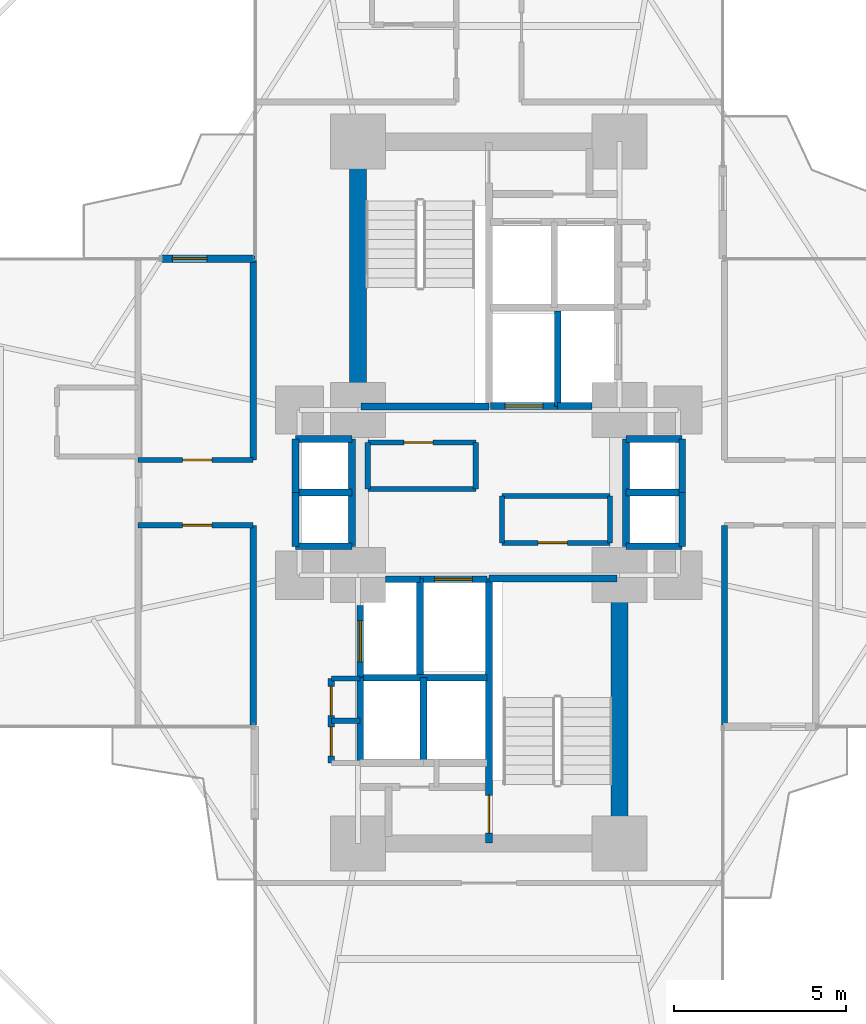
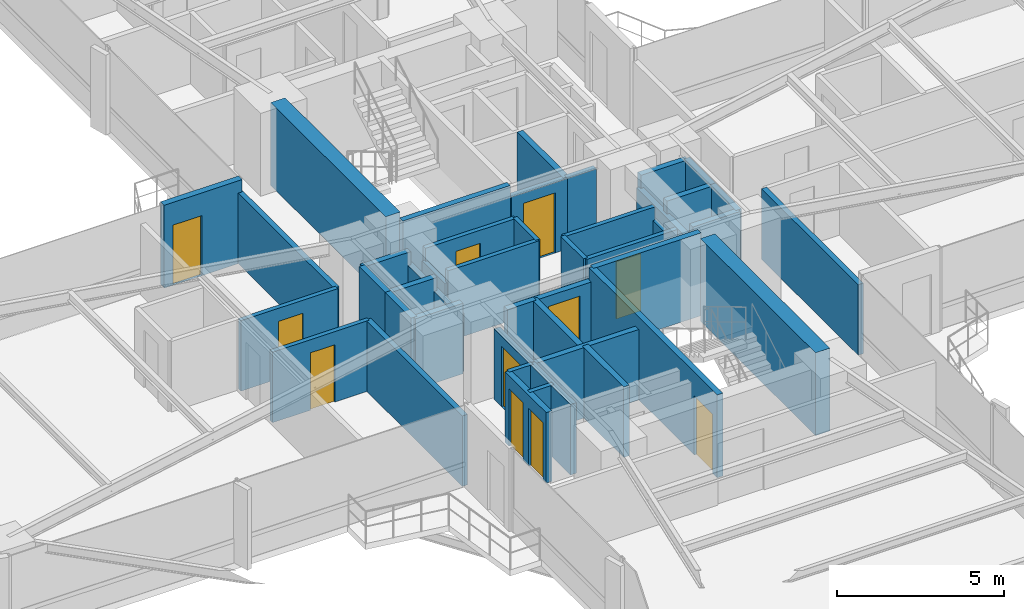
# One storey, part 22 of 25: 44 walls, 11 doors, 11 openings.
"""IFC4 building model written with IfcOpenShell, lengths in metres."""

from ifc_helpers import new_model, si_unit, direction, frame, frame_2d, origin, origin_2d, place, context, subcontext, project, spatial, rectangle, extrude, source, transform, mapped, material, layer, layer_set, type_object, element, fill, save


model = new_model("IFC4")

# Units and contexts
model_context = context("Model", 3, precision=1e-05, world=origin(), true_north=direction((0.0, 1.0)))
body_context = subcontext(model_context, "Body", "Model", "MODEL_VIEW")
ifc_project = project(units=[si_unit("LENGTHUNIT", "METRE"), si_unit("AREAUNIT", "SQUARE_METRE"), si_unit("VOLUMEUNIT", "CUBIC_METRE"), si_unit("PLANEANGLEUNIT", "RADIAN"), si_unit("MASSUNIT", "GRAM", prefix="KILO")], contexts=[model_context])

# Site, building, storey
site_placement = place(None, origin())
site = spatial("IfcSite", under=ifc_project, at=site_placement, CompositionType="ELEMENT")
building_placement = place(site_placement, origin())
building = spatial("IfcBuilding", under=site, at=building_placement, Name="Sahyath Konkavel Grand Hotel", CompositionType="ELEMENT")
storey_placement = place(building_placement, frame((0.0, 0.0, 71.14990234375)))
storey = spatial("IfcBuildingStorey", under=building, at=storey_placement, Name="L19", CompositionType="ELEMENT", Elevation=71.14990234375)

# Walls
ifc_material_1 = material(Name="Concrete C70/85", Category="concrete")
ifc_layer_1 = layer(ifc_material_1, 0.5)
ifc_layer_set_1 = layer_set([ifc_layer_1], Name="Concrete C70/85")
wall_type_1 = type_object("IfcWallType", Name="CWALL-500", PredefinedType="SHEAR", material=ifc_layer_set_1)
for number, where, z_axis, x_axis, name in (
    (1, (-3.800048828125, 2.85009765625, 0.0), (0.0, 0.0, 1.0), (0.0, 1.0, 0.0), "L19 North Core Shear Wall W"),
    (2, (3.800048828125, -9.75, 0.0), (0.0, 0.0, 1.0), (0.0, 1.0, 0.0), "L19 South Core Shear Wall E"),
):
    element("IfcWall", number, at=place(storey_placement, frame(where, z_axis=z_axis, x_axis=x_axis)), inside=storey, type_object=wall_type_1, Name=name, PredefinedType="SHEAR", context=body_context, shape_type="SweptSolid", body=[
        extrude(rectangle(XDim=6.89990234375, YDim=0.5, at=frame_2d((3.449951171875, 0.0))), origin(), (0.0, 0.0, 1.0), 3.030029296875),
    ])

# Wall, opening, door
ifc_material_2 = material(Name="Warm Buff Sandstone Insulated Concrete C40/50", Category="masonry")
ifc_layer_2 = layer(ifc_material_2, 0.219970703125)
ifc_layer_set_2 = layer_set([ifc_layer_2], Name="Warm Buff Sandstone Insulated Concrete C40/50")
wall_type_2 = type_object("IfcWallType", Name="WLL-BALC-THRESH", PredefinedType="STANDARD", material=ifc_layer_set_2)
wall_1_placement = place(storey_placement, frame((-6.800048828125, 6.800048828125, 0.0), z_axis=(0.0, 0.0, 1.0), x_axis=(-1.0, 0.0, 0.0)))
wall_1 = element("IfcWall", 3, at=wall_1_placement, inside=storey, type_object=wall_type_2, Name="L19 Winter-Garden Threshold Wall 16", PredefinedType="STANDARD", context=body_context, shape_type="SweptSolid", body=[
    extrude(rectangle(XDim=2.699951171875, YDim=0.219970703125, at=frame_2d((1.35009765625, 0.0))), origin(), (0.0, 0.0, 1.0), 3.030029296875),
])
opening_1_placement = place(wall_1_placement, frame((1.39990234375, 0.0, 0.0)))
opening_1 = element("IfcOpeningElement", 4, at=opening_1_placement, cuts=wall_1, Name="Opening D-TR1", PredefinedType="OPENING", context=body_context, shape_type="SweptSolid", body=[
    extrude(rectangle(XDim=1.0, YDim=2.199951171875, at=frame_2d((0.5, 1.10009765625))), frame((0.0, 0.1201171875, 0.0), z_axis=(0.0, -1.0, 0.0), x_axis=(1.0, 0.0, 0.0)), (0.0, 0.0, 1.0), 0.239990234375),
])
ifc_material_3 = material(Name="Anodised Bronze Aluminium & Low-E Glazing", Category="aluminium")
door_type_1 = type_object("IfcDoorType", Name="DR-TERRACE-1000", OperationType="NOTDEFINED", PredefinedType="DOOR", material=ifc_material_3)
shared_shape_1 = source(origin(), body_context, "Body", "SweptSolid", [
    extrude(rectangle(XDim=1.0, YDim=0.050048828125, at=origin_2d()), origin(), (0.0, 0.0, 1.0), 2.199951171875),
])
door_1_placement = place(opening_1_placement, frame((0.5, 0.0, 0.0)))
door_1 = element("IfcDoor", 5, at=door_1_placement, inside=storey, type_object=door_type_1, Name="L19 Winter-Garden Terrace Door 16", OperationType="SINGLE_SWING_LEFT", OverallHeight=2.199951171875, OverallWidth=1.0, PredefinedType="DOOR", context=body_context, shape_type="MappedRepresentation", body=[
    mapped(shared_shape_1, transform((0.0, 0.0, 0.0), scale=1.0)),
])
fill(opening_1, door_1)

# Wall
ifc_material_4 = material(Name="Concrete C40/50", Category="concrete")
ifc_layer_3 = layer(ifc_material_4, 0.199951171875)
ifc_layer_set_3 = layer_set([ifc_layer_3], Name="Concrete C40/50")
wall_type_3 = type_object("IfcWallType", Name="WLL-CORE-200", PredefinedType="SOLIDWALL", material=ifc_layer_set_3)
wall_2_placement = place(storey_placement, frame((-3.719970703125, 2.5, 0.0), z_axis=(0.0, 0.0, 1.0), x_axis=(1.0, 0.0, 0.0)))
element("IfcWall", 6, at=wall_2_placement, inside=storey, type_object=wall_type_3, Name="L19 Stair ST-1 Shaft Wall S", PredefinedType="SOLIDWALL", context=body_context, shape_type="SweptSolid", body=[
    extrude(rectangle(XDim=3.719970703125, YDim=0.199951171875, at=frame_2d((1.85986328125, 0.0))), origin(), (0.0, 0.0, 1.0), 3.030029296875),
])

# Wall, opening, door
wall_3_placement = place(storey_placement, frame((0.0, -10.179931640625, 0.0), z_axis=(0.0, 0.0, 1.0), x_axis=(0.0, 1.0, 0.0)))
wall_3 = element("IfcWall", 7, at=wall_3_placement, inside=storey, type_object=wall_type_3, Name="L19 Stair ST-2 Shaft Wall W", PredefinedType="SOLIDWALL", context=body_context, shape_type="SweptSolid", body=[
    extrude(rectangle(XDim=7.679931640625, YDim=0.199951171875, at=frame_2d((3.83984375, 0.0))), origin(), (0.0, 0.0, 1.0), 3.030029296875),
])
opening_2_placement = place(wall_3_placement, frame((0.280029296875, 0.0, 0.0)))
opening_2 = element("IfcOpeningElement", 8, at=opening_2_placement, cuts=wall_3, Name="Opening D-F12B", PredefinedType="OPENING", context=body_context, shape_type="SweptSolid", body=[
    extrude(rectangle(XDim=1.10009765625, YDim=2.14990234375, at=frame_2d((0.550048828125, 1.074951171875))), frame((0.0, 0.10986328125, 0.0), z_axis=(0.0, -1.0, 0.0), x_axis=(1.0, 0.0, 0.0)), (0.0, 0.0, 1.0), 0.219970703125),
])
ifc_material_5 = material(Name="Steel E350 Smokeproof Fire Door", Category="steel")
door_type_2 = type_object("IfcDoorType", Name="DR-FD120-1100", OperationType="NOTDEFINED", PredefinedType="DOOR", material=ifc_material_5)
shared_shape_2 = source(origin(), body_context, "Body", "SweptSolid", [
    extrude(rectangle(XDim=1.10009765625, YDim=0.050048828125, at=origin_2d()), origin(), (0.0, 0.0, 1.0), 2.14990234375),
])
door_2_placement = place(opening_2_placement, frame((0.550048828125, 0.0, 0.0)))
door_2 = element("IfcDoor", 9, at=door_2_placement, inside=storey, type_object=door_type_2, Name="L19 Stair ST-2 Fire Door", OperationType="SINGLE_SWING_LEFT", OverallHeight=2.14990234375, OverallWidth=1.10009765625, PredefinedType="DOOR", context=body_context, shape_type="MappedRepresentation", body=[
    mapped(shared_shape_2, transform((0.0, 0.0, 0.0), scale=1.0)),
])
fill(opening_2, door_2)

# Walls
wall_4_placement = place(storey_placement, frame((0.0, -2.5, 0.0), z_axis=(0.0, 0.0, 1.0), x_axis=(1.0, 0.0, 0.0)))
element("IfcWall", 10, at=wall_4_placement, inside=storey, type_object=wall_type_3, Name="L19 Stair ST-2 Shaft Wall N", PredefinedType="SOLIDWALL", context=body_context, shape_type="SweptSolid", body=[
    extrude(rectangle(XDim=3.719970703125, YDim=0.199951171875, at=frame_2d((1.85986328125, 0.0))), origin(), (0.0, 0.0, 1.0), 3.030029296875),
])
wall_5_placement = place(storey_placement, frame((2.0, 2.5, 0.0), z_axis=(0.0, 0.0, 1.0), x_axis=(0.0, 1.0, 0.0)))
element("IfcWall", 11, at=wall_5_placement, inside=storey, type_object=wall_type_3, Name="L19 Partition SH-FFL1-E", PredefinedType="SOLIDWALL", context=body_context, shape_type="SweptSolid", body=[
    extrude(rectangle(XDim=2.780029296875, YDim=0.199951171875, at=frame_2d((1.39013671875, 0.0))), origin(), (0.0, 0.0, 1.0), 2.580078125),
])

# Wall, opening, door
wall_6_placement = place(storey_placement, frame((0.050048828125, 2.52001953125, 0.0), z_axis=(0.0, 0.0, 1.0), x_axis=(1.0, 0.0, 0.0)))
wall_6 = element("IfcWall", 12, at=wall_6_placement, inside=storey, type_object=wall_type_3, Name="L19 Partition SH-FFL1-S", PredefinedType="SOLIDWALL", context=body_context, shape_type="SweptSolid", body=[
    extrude(rectangle(XDim=1.949951171875, YDim=0.199951171875, at=frame_2d((0.97509765625, 0.0))), origin(), (0.0, 0.0, 1.0), 2.580078125),
])
opening_3_placement = place(wall_6_placement, frame((0.419921875, 0.0, 0.0)))
opening_3 = element("IfcOpeningElement", 13, at=opening_3_placement, cuts=wall_6, Name="Opening LD-11", PredefinedType="OPENING", context=body_context, shape_type="SweptSolid", body=[
    extrude(rectangle(XDim=1.10009765625, YDim=2.199951171875, at=frame_2d((0.550048828125, 1.10009765625))), frame((0.0, 0.10986328125, 0.0), z_axis=(0.0, -1.0, 0.0), x_axis=(1.0, 0.0, 0.0)), (0.0, 0.0, 1.0), 0.219970703125),
])
ifc_material_6 = material(Name="Bronze Lift Landing Door 1100")
door_type_3 = type_object("IfcDoorType", Name="DR-LIFT-1100", OperationType="DOUBLE_DOOR_SLIDING", PredefinedType="DOOR", material=ifc_material_6)
shared_shape_3 = source(origin(), body_context, "Body", "SweptSolid", [
    extrude(rectangle(XDim=1.10009765625, YDim=0.050048828125, at=origin_2d()), origin(), (0.0, 0.0, 1.0), 2.199951171875),
])
door_3_placement = place(opening_3_placement, frame((0.550048828125, 0.0, 0.0)))
door_3 = element("IfcDoor", 14, at=door_3_placement, inside=storey, type_object=door_type_3, Name="L19 Lift FFL-1 Landing Door", OperationType="DOUBLE_DOOR_SLIDING", OverallHeight=2.199951171875, OverallWidth=1.10009765625, PredefinedType="DOOR", context=body_context, shape_type="MappedRepresentation", body=[
    mapped(shared_shape_3, transform((0.0, 0.0, 0.0), scale=1.0)),
])
fill(opening_3, door_3)

# Wall
wall_7_placement = place(storey_placement, frame((-2.0, -5.280029296875, 0.0), z_axis=(0.0, 0.0, 1.0), x_axis=(0.0, 1.0, 0.0)))
element("IfcWall", 15, at=wall_7_placement, inside=storey, type_object=wall_type_3, Name="L19 Partition SH-FFL2-W", PredefinedType="SOLIDWALL", context=body_context, shape_type="SweptSolid", body=[
    extrude(rectangle(XDim=2.780029296875, YDim=0.199951171875, at=frame_2d((1.39013671875, 0.0))), origin(), (0.0, 0.0, 1.0), 2.580078125),
])

# Wall, opening, door
wall_8_placement = place(storey_placement, frame((-2.0, -2.52001953125, 0.0), z_axis=(0.0, 0.0, 1.0), x_axis=(1.0, 0.0, 0.0)))
wall_8 = element("IfcWall", 16, at=wall_8_placement, inside=storey, type_object=wall_type_3, Name="L19 Partition SH-FFL2-N", PredefinedType="SOLIDWALL", context=body_context, shape_type="SweptSolid", body=[
    extrude(rectangle(XDim=1.949951171875, YDim=0.199951171875, at=frame_2d((0.97509765625, 0.0))), origin(), (0.0, 0.0, 1.0), 2.580078125),
])
opening_4_placement = place(wall_8_placement, frame((0.419921875, 0.0, 0.0)))
opening_4 = element("IfcOpeningElement", 17, at=opening_4_placement, cuts=wall_8, Name="Opening LD-11", PredefinedType="OPENING", context=body_context, shape_type="SweptSolid", body=[
    extrude(rectangle(XDim=1.10009765625, YDim=2.199951171875, at=frame_2d((0.550048828125, 1.10009765625))), frame((0.0, 0.10986328125, 0.0), z_axis=(0.0, -1.0, 0.0), x_axis=(1.0, 0.0, 0.0)), (0.0, 0.0, 1.0), 0.219970703125),
])
door_4_placement = place(opening_4_placement, frame((0.550048828125, 0.0, 0.0)))
door_4 = element("IfcDoor", 18, at=door_4_placement, inside=storey, type_object=door_type_3, Name="L19 Lift FFL-2 Landing Door", OperationType="DOUBLE_DOOR_SLIDING", OverallHeight=2.199951171875, OverallWidth=1.10009765625, PredefinedType="DOOR", context=body_context, shape_type="MappedRepresentation", body=[
    mapped(shared_shape_3, transform((0.0, 0.0, 0.0), scale=1.0)),
])
fill(opening_4, door_4)

# Walls
for number, where, z_axis, x_axis, name in (
    (19, (2.0, 2.52001953125, 0.0), (0.0, 0.0, 1.0), (1.0, 0.0, 0.0), "L19 Partition SH-SVL1-S"),
    (20, (-3.0, -2.52001953125, 0.0), (0.0, 0.0, 1.0), (1.0, 0.0, 0.0), "L19 Partition SH-SVL2-N"),
):
    element("IfcWall", number, at=place(storey_placement, frame(where, z_axis=z_axis, x_axis=x_axis)), inside=storey, type_object=wall_type_3, Name=name, PredefinedType="SOLIDWALL", context=body_context, shape_type="SweptSolid", body=[
        extrude(rectangle(XDim=1.0, YDim=0.199951171875, at=frame_2d((0.5, 0.0))), origin(), (0.0, 0.0, 1.0), 2.580078125),
    ])

# Wall, opening, door
wall_9_placement = place(storey_placement, frame((-3.739990234375, -5.360107421875, 0.0), z_axis=(0.0, 0.0, 1.0), x_axis=(0.0, 1.0, 0.0)))
wall_9 = element("IfcWall", 21, at=wall_9_placement, inside=storey, type_object=wall_type_3, Name="L19 Partition SH-SVL2-W", PredefinedType="SOLIDWALL", context=body_context, shape_type="SweptSolid", body=[
    extrude(rectangle(XDim=2.080078125, YDim=0.199951171875, at=frame_2d((1.0400390625, 0.0))), origin(), (0.0, 0.0, 1.0), 2.580078125),
])
opening_5_placement = place(wall_9_placement, frame((0.43994140625, 0.0, 0.0)))
opening_5 = element("IfcOpeningElement", 22, at=opening_5_placement, cuts=wall_9, Name="Opening LD-12", PredefinedType="OPENING", context=body_context, shape_type="SweptSolid", body=[
    extrude(rectangle(XDim=1.199951171875, YDim=2.199951171875, at=frame_2d((0.60009765625, 1.10009765625))), frame((0.0, 0.10986328125, 0.0), z_axis=(0.0, -1.0, 0.0), x_axis=(1.0, 0.0, 0.0)), (0.0, 0.0, 1.0), 0.219970703125),
])
ifc_material_7 = material(Name="Stainless Steel Lift Landing Door 1200", Category="steel")
door_type_4 = type_object("IfcDoorType", Name="DR-LIFT-1200", OperationType="DOUBLE_DOOR_SLIDING", PredefinedType="DOOR", material=ifc_material_7)
shared_shape_4 = source(origin(), body_context, "Body", "SweptSolid", [
    extrude(rectangle(XDim=1.199951171875, YDim=0.050048828125, at=origin_2d()), origin(), (0.0, 0.0, 1.0), 2.199951171875),
])
door_5_placement = place(opening_5_placement, frame((0.60009765625, 0.0, 0.0)))
door_5 = element("IfcDoor", 23, at=door_5_placement, inside=storey, type_object=door_type_4, Name="L19 Service Lift SVL-2 Landing Door", OperationType="DOUBLE_DOOR_SLIDING", OverallHeight=2.199951171875, OverallWidth=1.199951171875, PredefinedType="DOOR", context=body_context, shape_type="MappedRepresentation", body=[
    mapped(shared_shape_4, transform((0.0, 0.0, 0.0), scale=1.0)),
])
fill(opening_5, door_5)

# Walls
wall_10_placement = place(storey_placement, frame((-3.739990234375, -7.860107421875, 0.0), z_axis=(0.0, 0.0, 1.0), x_axis=(0.0, 1.0, 0.0)))
element("IfcWall", 24, at=wall_10_placement, inside=storey, type_object=wall_type_3, Name="L19 Partition SH-PL3-W", PredefinedType="SOLIDWALL", context=body_context, shape_type="SweptSolid", body=[
    extrude(rectangle(XDim=2.480224609375, YDim=0.199951171875, at=frame_2d((1.240234375, 0.0))), origin(), (0.0, 0.0, 1.0), 2.580078125),
])
wall_11_placement = place(storey_placement, frame((-3.739990234375, -5.3798828125, 0.0), z_axis=(0.0, 0.0, 1.0), x_axis=(1.0, 0.0, 0.0)))
element("IfcWall", 25, at=wall_11_placement, inside=storey, type_object=wall_type_3, Name="L19 Partition SH-PL34-N", PredefinedType="SOLIDWALL", context=body_context, shape_type="SweptSolid", body=[
    extrude(rectangle(XDim=3.68994140625, YDim=0.199951171875, at=frame_2d((1.844970703125, 0.0))), origin(), (0.0, 0.0, 1.0), 2.580078125),
])
wall_12_placement = place(storey_placement, frame((-1.89990234375, -7.860107421875, 0.0), z_axis=(0.0, 0.0, 1.0), x_axis=(0.0, 1.0, 0.0)))
element("IfcWall", 26, at=wall_12_placement, inside=storey, type_object=wall_type_3, Name="L19 Partition SH-PL34-M", PredefinedType="SOLIDWALL", context=body_context, shape_type="SweptSolid", body=[
    extrude(rectangle(XDim=2.480224609375, YDim=0.199951171875, at=frame_2d((1.240234375, 0.0))), origin(), (0.0, 0.0, 1.0), 2.580078125),
])
wall_13_placement = place(storey_placement, frame((3.97998046875, -1.56005859375, 0.0), z_axis=(0.0, 0.0, 1.0), x_axis=(0.0, 1.0, 0.0)))
element("IfcWall", 27, at=wall_13_placement, inside=storey, type_object=wall_type_3, Name="L19 Partition SH-PL56-W", PredefinedType="SOLIDWALL", context=body_context, shape_type="SweptSolid", body=[
    extrude(rectangle(XDim=3.1201171875, YDim=0.199951171875, at=frame_2d((1.56005859375, 0.0))), origin(), (0.0, 0.0, 1.0), 2.10009765625),
])
for number, where, z_axis, x_axis, name in (
    (28, (3.97998046875, 1.56005859375, 0.0), (0.0, 0.0, 1.0), (1.0, 0.0, 0.0), "L19 Partition SH-PL56-N"),
    (29, (3.97998046875, -1.56005859375, 0.0), (0.0, 0.0, 1.0), (1.0, 0.0, 0.0), "L19 Partition SH-PL56-S"),
    (30, (3.97998046875, 0.0, 0.0), (0.0, 0.0, 1.0), (1.0, 0.0, 0.0), "L19 Partition SH-PL56-M"),
):
    element("IfcWall", number, at=place(storey_placement, frame(where, z_axis=z_axis, x_axis=x_axis)), inside=storey, type_object=wall_type_3, Name=name, PredefinedType="SOLIDWALL", context=body_context, shape_type="SweptSolid", body=[
        extrude(rectangle(XDim=1.64013671875, YDim=0.199951171875, at=frame_2d((0.820068359375, 0.0))), origin(), (0.0, 0.0, 1.0), 2.580078125),
    ])
for number, where, z_axis, x_axis, name in (
    (31, (5.6201171875, 0.0, 0.0), (0.0, 0.0, 1.0), (0.0, 1.0, 0.0), "L19 Partition SH-PL5-E"),
    (32, (5.6201171875, -1.56005859375, 0.0), (0.0, 0.0, 1.0), (0.0, 1.0, 0.0), "L19 Partition SH-PL6-E"),
):
    element("IfcWall", number, at=place(storey_placement, frame(where, z_axis=z_axis, x_axis=x_axis)), inside=storey, type_object=wall_type_3, Name=name, PredefinedType="SOLIDWALL", context=body_context, shape_type="SweptSolid", body=[
        extrude(rectangle(XDim=1.56005859375, YDim=0.199951171875, at=frame_2d((0.780029296875, 0.0))), origin(), (0.0, 0.0, 1.0), 2.580078125),
    ])
wall_14_placement = place(storey_placement, frame((-3.97998046875, -1.56005859375, 0.0), z_axis=(0.0, 0.0, 1.0), x_axis=(0.0, 1.0, 0.0)))
element("IfcWall", 33, at=wall_14_placement, inside=storey, type_object=wall_type_3, Name="L19 Partition SH-SL12-E", PredefinedType="SOLIDWALL", context=body_context, shape_type="SweptSolid", body=[
    extrude(rectangle(XDim=3.1201171875, YDim=0.199951171875, at=frame_2d((1.56005859375, 0.0))), origin(), (0.0, 0.0, 1.0), 2.10009765625),
])
for number, where, z_axis, x_axis, name in (
    (34, (-5.6201171875, 1.56005859375, 0.0), (0.0, 0.0, 1.0), (1.0, 0.0, 0.0), "L19 Partition SH-SL12-N"),
    (35, (-5.6201171875, -1.56005859375, 0.0), (0.0, 0.0, 1.0), (1.0, 0.0, 0.0), "L19 Partition SH-SL12-S"),
    (36, (-5.6201171875, 0.0, 0.0), (0.0, 0.0, 1.0), (1.0, 0.0, 0.0), "L19 Partition SH-SL12-M"),
):
    element("IfcWall", number, at=place(storey_placement, frame(where, z_axis=z_axis, x_axis=x_axis)), inside=storey, type_object=wall_type_3, Name=name, PredefinedType="SOLIDWALL", context=body_context, shape_type="SweptSolid", body=[
        extrude(rectangle(XDim=1.64013671875, YDim=0.199951171875, at=frame_2d((0.820068359375, 0.0))), origin(), (0.0, 0.0, 1.0), 2.580078125),
    ])
for number, where, z_axis, x_axis, name in (
    (37, (-5.6201171875, 0.0, 0.0), (0.0, 0.0, 1.0), (0.0, 1.0, 0.0), "L19 Partition SH-SL1-W"),
    (38, (-5.6201171875, -1.56005859375, 0.0), (0.0, 0.0, 1.0), (0.0, 1.0, 0.0), "L19 Partition SH-SL2-W"),
):
    element("IfcWall", number, at=place(storey_placement, frame(where, z_axis=z_axis, x_axis=x_axis)), inside=storey, type_object=wall_type_3, Name=name, PredefinedType="SOLIDWALL", context=body_context, shape_type="SweptSolid", body=[
        extrude(rectangle(XDim=1.56005859375, YDim=0.199951171875, at=frame_2d((0.780029296875, 0.0))), origin(), (0.0, 0.0, 1.0), 2.580078125),
    ])

# Wall, openings, doors
wall_15_placement = place(storey_placement, frame((-4.580078125, -7.860107421875, 0.0), z_axis=(0.0, 0.0, 1.0), x_axis=(0.0, 1.0, 0.0)))
wall_15 = element("IfcWall", 39, at=wall_15_placement, inside=storey, type_object=wall_type_3, Name="L19 Partition SC-FLK-W", PredefinedType="SOLIDWALL", context=body_context, shape_type="SweptSolid", body=[
    extrude(rectangle(XDim=2.460205078125, YDim=0.199951171875, at=frame_2d((1.22998046875, 0.0))), origin(), (0.0, 0.0, 1.0), 2.580078125),
])
opening_6_placement = place(wall_15_placement, frame((0.199951171875, 0.0, 0.0)))
opening_6 = element("IfcOpeningElement", 40, at=opening_6_placement, cuts=wall_15, Name="Opening D-F06D", PredefinedType="OPENING", context=body_context, shape_type="SweptSolid", body=[
    extrude(rectangle(XDim=0.85009765625, YDim=2.10009765625, at=frame_2d((0.425048828125, 1.050048828125))), frame((0.0, 0.10986328125, 0.0), z_axis=(0.0, -1.0, 0.0), x_axis=(1.0, 0.0, 0.0)), (0.0, 0.0, 1.0), 0.219970703125),
])
opening_7_placement = place(wall_15_placement, frame((1.3798828125, 0.0, 0.0)))
opening_7 = element("IfcOpeningElement", 41, at=opening_7_placement, cuts=wall_15, Name="Opening D-F06D", PredefinedType="OPENING", context=body_context, shape_type="SweptSolid", body=[
    extrude(rectangle(XDim=0.85009765625, YDim=2.10009765625, at=frame_2d((0.425048828125, 1.050048828125))), frame((0.0, 0.10986328125, 0.0), z_axis=(0.0, -1.0, 0.0), x_axis=(1.0, 0.0, 0.0)), (0.0, 0.0, 1.0), 0.219970703125),
])
ifc_material_8 = material(Name="Fire-Rated Shaft Access Door")
door_type_5 = type_object("IfcDoorType", Name="DR-FD60-850", OperationType="NOTDEFINED", PredefinedType="DOOR", material=ifc_material_8)
shared_shape_5 = source(origin(), body_context, "Body", "SweptSolid", [
    extrude(rectangle(XDim=0.85009765625, YDim=0.050048828125, at=origin_2d()), origin(), (0.0, 0.0, 1.0), 2.10009765625),
])
door_6_placement = place(opening_6_placement, frame((0.425048828125, 0.0, 0.0)))
door_6 = element("IfcDoor", 42, at=door_6_placement, inside=storey, type_object=door_type_5, Name="L19 Door SC-FLK1-D", OperationType="SINGLE_SWING_RIGHT", OverallHeight=2.10009765625, OverallWidth=0.85009765625, PredefinedType="DOOR", context=body_context, shape_type="MappedRepresentation", body=[
    mapped(shared_shape_5, transform((0.0, 0.0, 0.0), scale=1.0)),
])
fill(opening_6, door_6)
door_7_placement = place(opening_7_placement, frame((0.425048828125, 0.0, 0.0)))
door_7 = element("IfcDoor", 43, at=door_7_placement, inside=storey, type_object=door_type_5, Name="L19 Door SC-FLK2-D", OperationType="SINGLE_SWING_LEFT", OverallHeight=2.10009765625, OverallWidth=0.85009765625, PredefinedType="DOOR", context=body_context, shape_type="MappedRepresentation", body=[
    mapped(shared_shape_5, transform((0.0, 0.0, 0.0), scale=1.0)),
])
fill(opening_7, door_7)

# Walls
ifc_material_9 = material(Name="Twin-Stud Acoustic Gypsum Plasterboard Partition")
ifc_layer_4 = layer(ifc_material_9, 0.179931640625)
ifc_layer_set_4 = layer_set([ifc_layer_4], Name="Twin-Stud Acoustic Gypsum Plasterboard Partition")
wall_type_4 = type_object("IfcWallType", Name="WLL-DEMISE-180", PredefinedType="PARTITIONING", material=ifc_layer_set_4)
for number, where, z_axis, x_axis, name in (
    (44, (6.85009765625, -6.75, 0.0), (0.0, 0.0, 1.0), (0.0, 1.0, 0.0), "L19 Partition E-INR"),
    (45, (-6.85009765625, -0.949951171875, 0.0), (0.0, 0.0, 1.0), (0.0, -1.0, 0.0), "L19 Partition W-INL"),
    (46, (-6.85009765625, 6.75, 0.0), (0.0, 0.0, 1.0), (0.0, -1.0, 0.0), "L19 Partition W-INR"),
):
    element("IfcWall", number, at=place(storey_placement, frame(where, z_axis=z_axis, x_axis=x_axis)), inside=storey, type_object=wall_type_4, Name=name, PredefinedType="PARTITIONING", context=body_context, shape_type="SweptSolid", body=[
        extrude(rectangle(XDim=5.800048828125, YDim=0.179931640625, at=frame_2d((2.89990234375, 0.0))), origin(), (0.0, 0.0, 1.0), 2.580078125),
    ])
ifc_material_10 = material(Name="Fire-Rated Gypsum Plasterboard Partition")
ifc_layer_5 = layer(ifc_material_10, 0.14990234375)
ifc_layer_set_5 = layer_set([ifc_layer_5], Name="Fire-Rated Gypsum Plasterboard Partition")
wall_type_5 = type_object("IfcWallType", Name="WLL-PART-150", PredefinedType="PARTITIONING", material=ifc_layer_set_5)
for number, where, z_axis, x_axis, name in (
    (47, (-4.580078125, -5.39990234375, 0.0), (0.0, 0.0, 1.0), (1.0, 0.0, 0.0), "L19 Partition SC-FLK-N"),
    (48, (-4.580078125, -6.6298828125, 0.0), (0.0, 0.0, 1.0), (1.0, 0.0, 0.0), "L19 Partition SC-FLK-M"),
):
    element("IfcWall", number, at=place(storey_placement, frame(where, z_axis=z_axis, x_axis=x_axis)), inside=storey, type_object=wall_type_5, Name=name, PredefinedType="PARTITIONING", context=body_context, shape_type="SweptSolid", body=[
        extrude(rectangle(XDim=0.840087890625, YDim=0.14990234375, at=frame_2d((0.419921875, 0.0))), origin(), (0.0, 0.0, 1.0), 2.580078125),
    ])
wall_16_placement = place(storey_placement, frame((-3.52001953125, 0.10009765625, 0.0), z_axis=(0.0, 0.0, 1.0), x_axis=(1.0, 0.0, 0.0)))
element("IfcWall", 49, at=wall_16_placement, inside=storey, type_object=wall_type_5, Name="L19 Partition CC-3NWS", PredefinedType="PARTITIONING", context=body_context, shape_type="SweptSolid", body=[
    extrude(rectangle(XDim=3.14013671875, YDim=0.14990234375, at=frame_2d((1.570068359375, 0.0))), origin(), (0.0, 0.0, 1.0), 2.580078125),
])

# Wall, opening, door
wall_17_placement = place(storey_placement, frame((-3.52001953125, 1.4599609375, 0.0), z_axis=(0.0, 0.0, 1.0), x_axis=(1.0, 0.0, 0.0)))
wall_17 = element("IfcWall", 50, at=wall_17_placement, inside=storey, type_object=wall_type_5, Name="L19 Partition CC-3NWN", PredefinedType="PARTITIONING", context=body_context, shape_type="SweptSolid", body=[
    extrude(rectangle(XDim=3.14013671875, YDim=0.14990234375, at=frame_2d((1.570068359375, 0.0))), origin(), (0.0, 0.0, 1.0), 2.580078125),
])
opening_8_placement = place(wall_17_placement, frame((1.050048828125, 0.0, 0.0)))
opening_8 = element("IfcOpeningElement", 51, at=opening_8_placement, cuts=wall_17, Name="Opening D-F06D", PredefinedType="OPENING", context=body_context, shape_type="SweptSolid", body=[
    extrude(rectangle(XDim=0.85009765625, YDim=2.10009765625, at=frame_2d((0.425048828125, 1.050048828125))), frame((0.0, 0.0849609375, 0.0), z_axis=(0.0, -1.0, 0.0), x_axis=(1.0, 0.0, 0.0)), (0.0, 0.0, 1.0), 0.169921875),
])
door_8_placement = place(opening_8_placement, frame((0.425048828125, 0.0, 0.0)))
door_8 = element("IfcDoor", 52, at=door_8_placement, inside=storey, type_object=door_type_5, Name="L19 Door CC-D3NW", OperationType="SINGLE_SWING_RIGHT", OverallHeight=2.10009765625, OverallWidth=0.85009765625, PredefinedType="DOOR", context=body_context, shape_type="MappedRepresentation", body=[
    mapped(shared_shape_5, transform((0.0, 0.0, 0.0), scale=1.0)),
])
fill(opening_8, door_8)

# Walls
wall_18_placement = place(storey_placement, frame((-3.52001953125, 0.10009765625, 0.0), z_axis=(0.0, 0.0, 1.0), x_axis=(0.0, 1.0, 0.0)))
element("IfcWall", 53, at=wall_18_placement, inside=storey, type_object=wall_type_5, Name="L19 Partition CC-3NWW", PredefinedType="PARTITIONING", context=body_context, shape_type="SweptSolid", body=[
    extrude(rectangle(XDim=1.35986328125, YDim=0.14990234375, at=frame_2d((0.679931640625, 0.0))), origin(), (0.0, 0.0, 1.0), 2.10009765625),
])
wall_19_placement = place(storey_placement, frame((-0.3798828125, 0.10009765625, 0.0), z_axis=(0.0, 0.0, 1.0), x_axis=(0.0, 1.0, 0.0)))
element("IfcWall", 54, at=wall_19_placement, inside=storey, type_object=wall_type_5, Name="L19 Partition CC-3NWE", PredefinedType="PARTITIONING", context=body_context, shape_type="SweptSolid", body=[
    extrude(rectangle(XDim=1.35986328125, YDim=0.14990234375, at=frame_2d((0.679931640625, 0.0))), origin(), (0.0, 0.0, 1.0), 2.580078125),
])
wall_20_placement = place(storey_placement, frame((0.3798828125, -0.10009765625, 0.0), z_axis=(0.0, 0.0, 1.0), x_axis=(1.0, 0.0, 0.0)))
element("IfcWall", 55, at=wall_20_placement, inside=storey, type_object=wall_type_5, Name="L19 Partition CC-3SEN", PredefinedType="PARTITIONING", context=body_context, shape_type="SweptSolid", body=[
    extrude(rectangle(XDim=3.14013671875, YDim=0.14990234375, at=frame_2d((1.570068359375, 0.0))), origin(), (0.0, 0.0, 1.0), 2.580078125),
])

# Wall, opening, door
wall_21_placement = place(storey_placement, frame((0.3798828125, -1.4599609375, 0.0), z_axis=(0.0, 0.0, 1.0), x_axis=(1.0, 0.0, 0.0)))
wall_21 = element("IfcWall", 56, at=wall_21_placement, inside=storey, type_object=wall_type_5, Name="L19 Partition CC-3SES", PredefinedType="PARTITIONING", context=body_context, shape_type="SweptSolid", body=[
    extrude(rectangle(XDim=3.14013671875, YDim=0.14990234375, at=frame_2d((1.570068359375, 0.0))), origin(), (0.0, 0.0, 1.0), 2.580078125),
])
opening_9_placement = place(wall_21_placement, frame((1.050048828125, 0.0, 0.0)))
opening_9 = element("IfcOpeningElement", 57, at=opening_9_placement, cuts=wall_21, Name="Opening D-F06D", PredefinedType="OPENING", context=body_context, shape_type="SweptSolid", body=[
    extrude(rectangle(XDim=0.85009765625, YDim=2.10009765625, at=frame_2d((0.425048828125, 1.050048828125))), frame((0.0, 0.0849609375, 0.0), z_axis=(0.0, -1.0, 0.0), x_axis=(1.0, 0.0, 0.0)), (0.0, 0.0, 1.0), 0.169921875),
])
door_9_placement = place(opening_9_placement, frame((0.425048828125, 0.0, 0.0)))
door_9 = element("IfcDoor", 58, at=door_9_placement, inside=storey, type_object=door_type_5, Name="L19 Door CC-D3SE", OperationType="SINGLE_SWING_LEFT", OverallHeight=2.10009765625, OverallWidth=0.85009765625, PredefinedType="DOOR", context=body_context, shape_type="MappedRepresentation", body=[
    mapped(shared_shape_5, transform((0.0, 0.0, 0.0), scale=1.0)),
])
fill(opening_9, door_9)

# Walls
wall_22_placement = place(storey_placement, frame((0.3798828125, -1.4599609375, 0.0), z_axis=(0.0, 0.0, 1.0), x_axis=(0.0, 1.0, 0.0)))
element("IfcWall", 59, at=wall_22_placement, inside=storey, type_object=wall_type_5, Name="L19 Partition CC-3SEW", PredefinedType="PARTITIONING", context=body_context, shape_type="SweptSolid", body=[
    extrude(rectangle(XDim=1.35986328125, YDim=0.14990234375, at=frame_2d((0.679931640625, 0.0))), origin(), (0.0, 0.0, 1.0), 2.580078125),
])
wall_23_placement = place(storey_placement, frame((3.52001953125, -1.4599609375, 0.0), z_axis=(0.0, 0.0, 1.0), x_axis=(0.0, 1.0, 0.0)))
element("IfcWall", 60, at=wall_23_placement, inside=storey, type_object=wall_type_5, Name="L19 Partition CC-3SEE", PredefinedType="PARTITIONING", context=body_context, shape_type="SweptSolid", body=[
    extrude(rectangle(XDim=1.35986328125, YDim=0.14990234375, at=frame_2d((0.679931640625, 0.0))), origin(), (0.0, 0.0, 1.0), 2.10009765625),
])

# Wall, opening, door
wall_24_placement = place(storey_placement, frame((-6.85009765625, -0.949951171875, 0.0), z_axis=(0.0, 0.0, 1.0), x_axis=(-1.0, 0.0, 0.0)))
wall_24 = element("IfcWall", 61, at=wall_24_placement, inside=storey, type_object=wall_type_5, Name="L19 Partition W-CL", PredefinedType="PARTITIONING", context=body_context, shape_type="SweptSolid", body=[
    extrude(rectangle(XDim=3.349853515625, YDim=0.14990234375, at=frame_2d((1.6748046875, 0.0))), origin(), (0.0, 0.0, 1.0), 2.580078125),
])
opening_10_placement = place(wall_24_placement, frame((1.199951171875, 0.0, 0.0)))
opening_10 = element("IfcOpeningElement", 62, at=opening_10_placement, cuts=wall_24, Name="Opening D-F06D", PredefinedType="OPENING", context=body_context, shape_type="SweptSolid", body=[
    extrude(rectangle(XDim=0.85009765625, YDim=2.10009765625, at=frame_2d((0.425048828125, 1.050048828125))), frame((0.0, 0.0849609375, 0.0), z_axis=(0.0, -1.0, 0.0), x_axis=(1.0, 0.0, 0.0)), (0.0, 0.0, 1.0), 0.169921875),
])
door_10_placement = place(opening_10_placement, frame((0.425048828125, 0.0, 0.0)))
door_10 = element("IfcDoor", 63, at=door_10_placement, inside=storey, type_object=door_type_5, Name="L19 Door W-WS3L-D", OperationType="SINGLE_SWING_LEFT", OverallHeight=2.10009765625, OverallWidth=0.85009765625, PredefinedType="DOOR", context=body_context, shape_type="MappedRepresentation", body=[
    mapped(shared_shape_5, transform((0.0, 0.0, 0.0), scale=1.0)),
])
fill(opening_10, door_10)

wall_25_placement = place(storey_placement, frame((-6.85009765625, 0.949951171875, 0.0), z_axis=(0.0, 0.0, 1.0), x_axis=(-1.0, 0.0, 0.0)))
wall_25 = element("IfcWall", 64, at=wall_25_placement, inside=storey, type_object=wall_type_5, Name="L19 Partition W-CR", PredefinedType="PARTITIONING", context=body_context, shape_type="SweptSolid", body=[
    extrude(rectangle(XDim=3.349853515625, YDim=0.14990234375, at=frame_2d((1.6748046875, 0.0))), origin(), (0.0, 0.0, 1.0), 2.580078125),
])
opening_11_placement = place(wall_25_placement, frame((1.199951171875, 0.0, 0.0)))
opening_11 = element("IfcOpeningElement", 65, at=opening_11_placement, cuts=wall_25, Name="Opening D-F06D", PredefinedType="OPENING", context=body_context, shape_type="SweptSolid", body=[
    extrude(rectangle(XDim=0.85009765625, YDim=2.10009765625, at=frame_2d((0.425048828125, 1.050048828125))), frame((0.0, 0.0849609375, 0.0), z_axis=(0.0, -1.0, 0.0), x_axis=(1.0, 0.0, 0.0)), (0.0, 0.0, 1.0), 0.169921875),
])
door_11_placement = place(opening_11_placement, frame((0.425048828125, 0.0, 0.0)))
door_11 = element("IfcDoor", 66, at=door_11_placement, inside=storey, type_object=door_type_5, Name="L19 Door W-WHK-D", OperationType="SINGLE_SWING_RIGHT", OverallHeight=2.10009765625, OverallWidth=0.85009765625, PredefinedType="DOOR", context=body_context, shape_type="MappedRepresentation", body=[
    mapped(shared_shape_5, transform((0.0, 0.0, 0.0), scale=1.0)),
])
fill(opening_11, door_11)

save(model, "model.ifc")
